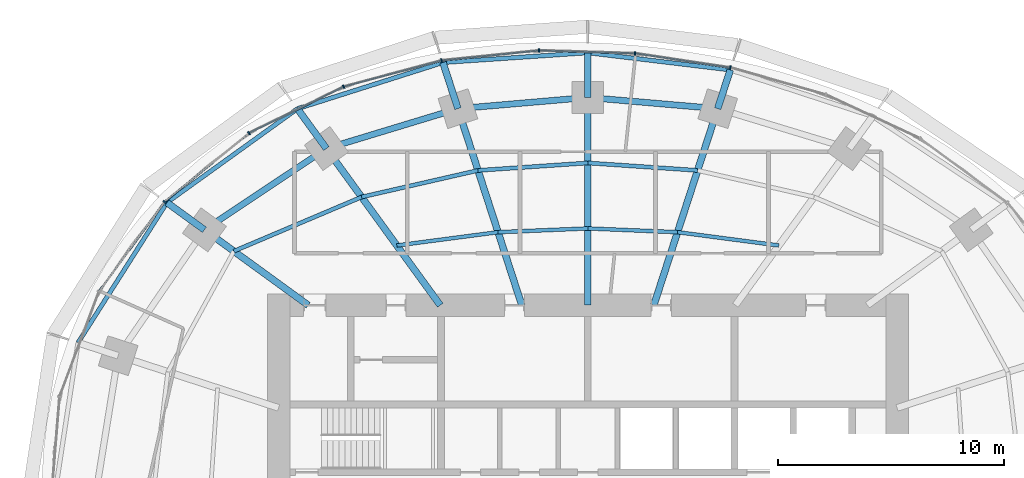
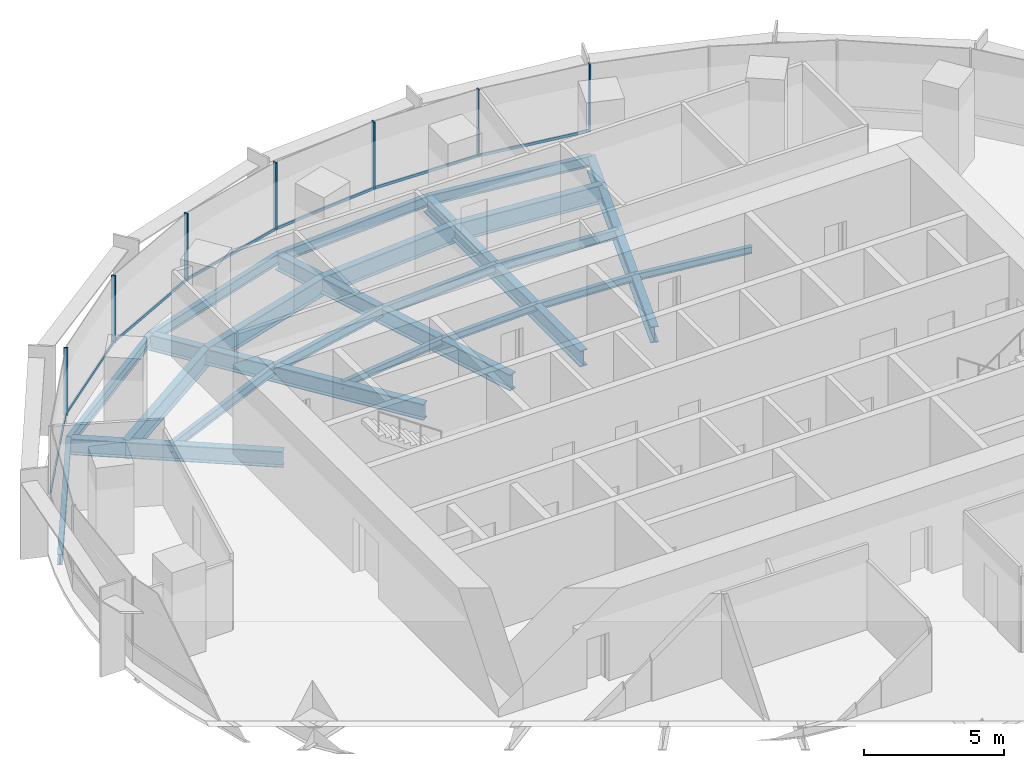
# One storey, part 7 of 14: 27 beams, 14 members, 2 elements without a shape of their own.
"""IFC4 building model written with IfcOpenShell, lengths in metres."""

from ifc_helpers import new_model, si_unit, direction, frame, origin, origin_2d, place, context, subcontext, project, spatial, rectangle, i_section, extrude, material, material_profile, profile_set, type_object, element, aggregate, save


model = new_model("IFC4")

# Units and contexts
model_context = context("Model", 3, precision=1e-05, world=origin(), true_north=direction((0.0, 1.0)))
body_context = subcontext(model_context, "Body", "Model", "MODEL_VIEW")
ifc_project = project(units=[si_unit("LENGTHUNIT", "METRE"), si_unit("AREAUNIT", "SQUARE_METRE"), si_unit("VOLUMEUNIT", "CUBIC_METRE"), si_unit("PLANEANGLEUNIT", "RADIAN"), si_unit("MASSUNIT", "GRAM", prefix="KILO")], contexts=[model_context])

# Site, building, storey
site_placement = place(None, origin())
site = spatial("IfcSite", under=ifc_project, at=site_placement, CompositionType="ELEMENT")
building_placement = place(site_placement, origin())
building = spatial("IfcBuilding", under=site, at=building_placement, Name="Marramba Exchange Tower", CompositionType="ELEMENT")
storey_placement = place(building_placement, frame((0.0, 0.0, 238.39990234375)))
storey = spatial("IfcBuildingStorey", under=building, at=storey_placement, Name="L58", CompositionType="ELEMENT", Elevation=238.39990234375)

# Beams
ifc_material_1 = material(Name="Steel AS/NZS 3679.2 grade 300", Category="steel")
ifc_material_profile_1 = material_profile(ifc_material_1, i_section(OverallWidth=0.300048828125, OverallDepth=0.699951171875, WebThickness=0.010009765625, FlangeThickness=0.031982421875, at=origin_2d()), Name="700WB173")
ifc_profile_set_1 = profile_set([ifc_material_profile_1], Name="Steel AS/NZS 3679.2 grade 300")
beam_type_1 = type_object("IfcBeamType", Name="Cantilever girder 700WB173", PredefinedType="BEAM", material=ifc_profile_set_1)
beam_1_placement = place(storey_placement, frame((5.75390625, 17.70849609375, -0.510009765625), z_axis=(0.308960771946, 0.951074782232, 0.0), x_axis=(-0.951074782232, 0.308960771946, 0.0)))
element("IfcBeam", 1, at=beam_1_placement, inside=storey, type_object=beam_type_1, Name="Cantilever girder L58 TC05", PredefinedType="BEAM", context=body_context, shape_type="SweptSolid", body=[
    extrude(i_section(OverallWidth=0.300048828125, OverallDepth=0.699951171875, WebThickness=0.010009765625, FlangeThickness=0.031982421875, at=origin_2d()), origin(), (0.0, 0.0, 1.0), 1.806396484375),
])
beam_2_placement = place(storey_placement, frame((0.0, 18.2041015625, -0.510009765625), z_axis=(0.0, 1.0, 0.0), x_axis=(-1.0, 0.0, 0.0)))
element("IfcBeam", 2, at=beam_2_placement, inside=storey, type_object=beam_type_1, Name="Cantilever girder L58 TC06", PredefinedType="BEAM", context=body_context, shape_type="SweptSolid", body=[
    extrude(i_section(OverallWidth=0.300048828125, OverallDepth=0.699951171875, WebThickness=0.010009765625, FlangeThickness=0.031982421875, at=origin_2d()), origin(), (0.0, 0.0, 1.0), 1.982177734375),
])
beam_3_placement = place(storey_placement, frame((-5.75390625, 17.70849609375, -0.510009765625), z_axis=(-0.308998798068, 0.951062428441, 0.0), x_axis=(-0.951062428441, -0.308998798068, 0.0)))
element("IfcBeam", 3, at=beam_3_placement, inside=storey, type_object=beam_type_1, Name="Cantilever girder L58 TC07", PredefinedType="BEAM", context=body_context, shape_type="SweptSolid", body=[
    extrude(i_section(OverallWidth=0.300048828125, OverallDepth=0.699951171875, WebThickness=0.010009765625, FlangeThickness=0.031982421875, at=origin_2d()), origin(), (0.0, 0.0, 1.0), 2.150634765625),
])
beam_4_placement = place(storey_placement, frame((-11.581298828125, 15.9404296875, -0.510009765625), z_axis=(-0.587832433352, 0.808982713226, 0.0), x_axis=(-0.808982713226, -0.587832433352, 0.0)))
element("IfcBeam", 4, at=beam_4_placement, inside=storey, type_object=beam_type_1, Name="Cantilever girder L58 TC08", PredefinedType="BEAM", context=body_context, shape_type="SweptSolid", body=[
    extrude(i_section(OverallWidth=0.300048828125, OverallDepth=0.699951171875, WebThickness=0.010009765625, FlangeThickness=0.031982421875, at=origin_2d()), origin(), (0.0, 0.0, 1.0), 2.1826171875),
])
beam_5_placement = place(storey_placement, frame((-16.98583984375, 12.3408203125, -0.510009765625), z_axis=(-0.808962446125, 0.587860324192, 0.0), x_axis=(-0.587860324192, -0.808962446125, 0.0)))
element("IfcBeam", 5, at=beam_5_placement, inside=storey, type_object=beam_type_1, Name="Cantilever girder L58 TC09", PredefinedType="BEAM", context=body_context, shape_type="SweptSolid", body=[
    extrude(i_section(OverallWidth=0.300048828125, OverallDepth=0.699951171875, WebThickness=0.010009765625, FlangeThickness=0.031982421875, at=origin_2d()), origin(), (0.0, 0.0, 1.0), 2.051513671875),
])
ifc_material_2 = material(Name="Steel AS/NZS 3679.1 grade 300", Category="steel")
ifc_material_profile_2 = material_profile(ifc_material_2, i_section(OverallWidth=0.166015625, OverallDepth=0.306884765625, WebThickness=0.006591796875, FlangeThickness=0.01171875, FilletRadius=0.011474609375, at=origin_2d()), Name="310UB46.2")
ifc_profile_set_2 = profile_set([ifc_material_profile_2], Name="Steel AS/NZS 3679.1 grade 300")
beam_type_2 = type_object("IfcBeamType", Name="Floor joist 310UB46.2", PredefinedType="JOIST", material=ifc_profile_set_2)
beam_6_placement = place(storey_placement, frame((8.4619140625, 11.646728515625, -0.3134765625), z_axis=(-0.991480538255, 0.130254912618, 0.0), x_axis=(-0.130254912618, -0.991480538255, 0.0)))
element("IfcBeam", 6, at=beam_6_placement, inside=storey, type_object=beam_type_2, Name="Joist L58 bay 04 row 1", PredefinedType="JOIST", context=body_context, shape_type="SweptSolid", body=[
    extrude(i_section(OverallWidth=0.166015625, OverallDepth=0.306884765625, WebThickness=0.006591796875, FlangeThickness=0.01171875, FilletRadius=0.011474609375, at=origin_2d()), origin(), (0.0, 0.0, 1.0), 4.524658203125),
])
for number, where, z_axis, x_axis, name in (
    (7, (3.975830078125, 12.236083984375, -0.3134765625), (-0.999137002892, 0.041536122257, 0.0), (-0.041536122257, -0.999137002892, 0.0), "Joist L58 bay 05 row 1"),
    (8, (0.0, 12.4013671875, -0.3134765625), (-0.999137002892, -0.041536122257, 0.0), (0.041536122257, -0.999137002892, 0.0), "Joist L58 bay 06 row 1"),
):
    element("IfcBeam", number, at=place(storey_placement, frame(where, z_axis=z_axis, x_axis=x_axis)), inside=storey, type_object=beam_type_2, Name=name, PredefinedType="JOIST", context=body_context, shape_type="SweptSolid", body=[
        extrude(i_section(OverallWidth=0.166015625, OverallDepth=0.306884765625, WebThickness=0.006591796875, FlangeThickness=0.01171875, FilletRadius=0.011474609375, at=origin_2d()), origin(), (0.0, 0.0, 1.0), 3.979248046875),
    ])
beam_7_placement = place(storey_placement, frame((-3.975830078125, 12.236083984375, -0.3134765625), z_axis=(-0.991480538255, -0.130254912618, 0.0), x_axis=(0.130254912618, -0.991480538255, 0.0)))
element("IfcBeam", 9, at=beam_7_placement, inside=storey, type_object=beam_type_2, Name="Joist L58 bay 07 row 1", PredefinedType="JOIST", context=body_context, shape_type="SweptSolid", body=[
    extrude(i_section(OverallWidth=0.166015625, OverallDepth=0.306884765625, WebThickness=0.006591796875, FlangeThickness=0.01171875, FilletRadius=0.011474609375, at=origin_2d()), origin(), (0.0, 0.0, 1.0), 4.524658203125),
])
ifc_material_profile_3 = material_profile(ifc_material_2, i_section(OverallWidth=0.177978515625, OverallDepth=0.406005859375, WebThickness=0.0078125, FlangeThickness=0.0126953125, FilletRadius=0.011474609375, at=origin_2d()), Name="410UB59.7")
ifc_profile_set_3 = profile_set([ifc_material_profile_3], Name="Steel AS/NZS 3679.1 grade 300")
beam_type_3 = type_object("IfcBeamType", Name="Floor joist 410UB59.7", PredefinedType="JOIST", material=ifc_profile_set_3)
for number, where, z_axis, x_axis, name in (
    (10, (4.86474609375, 14.972412109375, -0.36279296875), (-0.997702652202, 0.067745241816, 0.0), (-0.067745241816, -0.997702652202, 0.0), "Joist L58 bay 05 row 2"),
    (11, (0.0, 15.302734375, -0.36279296875), (-0.997702652202, -0.067745241816, 0.0), (0.067745241816, -0.997702652202, 0.0), "Joist L58 bay 06 row 2"),
):
    element("IfcBeam", number, at=place(storey_placement, frame(where, z_axis=z_axis, x_axis=x_axis)), inside=storey, type_object=beam_type_3, Name=name, PredefinedType="JOIST", context=body_context, shape_type="SweptSolid", body=[
        extrude(i_section(OverallWidth=0.177978515625, OverallDepth=0.406005859375, WebThickness=0.0078125, FlangeThickness=0.0126953125, FilletRadius=0.011474609375, at=origin_2d()), origin(), (0.0, 0.0, 1.0), 4.8759765625),
    ])
beam_8_placement = place(storey_placement, frame((-4.86474609375, 14.972412109375, -0.36279296875), z_axis=(-0.974859652292, -0.222819788916, 0.0), x_axis=(0.222819788916, -0.974859652292, 0.0)))
element("IfcBeam", 12, at=beam_8_placement, inside=storey, type_object=beam_type_3, Name="Joist L58 bay 07 row 2", PredefinedType="JOIST", context=body_context, shape_type="SweptSolid", body=[
    extrude(i_section(OverallWidth=0.177978515625, OverallDepth=0.406005859375, WebThickness=0.0078125, FlangeThickness=0.0126953125, FilletRadius=0.011474609375, at=origin_2d()), origin(), (0.0, 0.0, 1.0), 5.2900390625),
])
beam_9_placement = place(storey_placement, frame((-10.021728515625, 13.793701171875, -0.36279296875), z_axis=(-0.920674336375, -0.390331610738, 0.0), x_axis=(0.390331610738, -0.920674336375, 0.0)))
element("IfcBeam", 13, at=beam_9_placement, inside=storey, type_object=beam_type_3, Name="Joist L58 bay 08 row 2", PredefinedType="JOIST", context=body_context, shape_type="SweptSolid", body=[
    extrude(i_section(OverallWidth=0.177978515625, OverallDepth=0.406005859375, WebThickness=0.0078125, FlangeThickness=0.0126953125, FilletRadius=0.011474609375, at=origin_2d()), origin(), (0.0, 0.0, 1.0), 6.1484375),
])

# Curtain wall, members
ifc_material_3 = material(Name="Aluminium framing, bronze anodised", Category="aluminium")
curtain_wall_type = type_object("IfcCurtainWallType", Name="Office ribbon curtain wall", PredefinedType="USERDEFINED", material=ifc_material_3)
curtain_wall_1_placement = place(storey_placement, origin())
curtain_wall_1 = element("IfcCurtainWall", 14, at=curtain_wall_1_placement, inside=storey, type_object=curtain_wall_type, Name="Curtain wall CW4 L58 F06-F10", ObjectType="RIBBON CURTAIN WALL", PredefinedType="USERDEFINED")
ifc_material_4 = material(Name="Aluminium mullion, bronze anodised", Category="aluminium")
ifc_material_profile_4 = material_profile(ifc_material_4, rectangle(XDim=0.159912109375, YDim=0.06005859375, at=origin_2d()), Name="CW4 mullion 60x160")
ifc_profile_set_4 = profile_set([ifc_material_profile_4], Name="Aluminium mullion, bronze anodised")
member_type_1 = type_object("IfcMemberType", Name="Office ribbon curtain wall mullion", PredefinedType="MULLION", material=ifc_profile_set_4)
member_1_placement = place(storey_placement, frame((6.313232421875, 19.526123046875, 0.800048828125), z_axis=(0.0, 0.0, 1.0), x_axis=(-0.148794988635, -0.988868065698, 0.0)))
member_1 = element("IfcMember", 15, at=member_1_placement, type_object=member_type_1, Name="CW4 mullion 1", PredefinedType="MULLION", context=body_context, shape_type="SweptSolid", body=[
    extrude(rectangle(XDim=0.159912109375, YDim=0.06005859375, at=origin_2d()), origin(), (0.0, 0.0, 1.0), 2.93994140625),
])
member_2_placement = place(storey_placement, frame((2.088623046875, 20.158203125, 0.800048828125), z_axis=(0.0, 0.0, 1.0), x_axis=(-0.03039385249, -0.999538000143, 0.0)))
member_2 = element("IfcMember", 16, at=member_2_placement, type_object=member_type_1, Name="CW4 mullion 1", PredefinedType="MULLION", context=body_context, shape_type="SweptSolid", body=[
    extrude(rectangle(XDim=0.159912109375, YDim=0.06005859375, at=origin_2d()), origin(), (0.0, 0.0, 1.0), 2.93994140625),
])
member_3_placement = place(storey_placement, frame((-2.162109375, 20.28369140625, 0.800048828125), z_axis=(0.0, 0.0, 1.0), x_axis=(0.100862673507, -0.994900357369, 0.0)))
member_3 = element("IfcMember", 17, at=member_3_placement, type_object=member_type_1, Name="CW4 mullion 1", PredefinedType="MULLION", context=body_context, shape_type="SweptSolid", body=[
    extrude(rectangle(XDim=0.159912109375, YDim=0.06005859375, at=origin_2d()), origin(), (0.0, 0.0, 1.0), 2.93994140625),
])
member_4_placement = place(storey_placement, frame((-6.478271484375, 19.84130859375, 0.800048828125), z_axis=(0.0, 0.0, 1.0), x_axis=(0.257641223778, -0.966240653155, 0.0)))
member_4 = element("IfcMember", 18, at=member_4_placement, type_object=member_type_1, Name="CW4 mullion 1", PredefinedType="MULLION", context=body_context, shape_type="SweptSolid", body=[
    extrude(rectangle(XDim=0.159912109375, YDim=0.06005859375, at=origin_2d()), origin(), (0.0, 0.0, 1.0), 2.93994140625),
])

curtain_wall_2_placement = place(storey_placement, origin())
curtain_wall_2 = element("IfcCurtainWall", 19, at=curtain_wall_2_placement, inside=storey, type_object=curtain_wall_type, Name="Curtain wall CW4 L58 F11-F15", ObjectType="RIBBON CURTAIN WALL", PredefinedType="USERDEFINED")
member_5_placement = place(storey_placement, frame((-10.818359375, 18.677978515625, 0.800048828125), z_axis=(0.0, 0.0, 1.0), x_axis=(0.438972456661, -0.898500518805, 0.0)))
member_5 = element("IfcMember", 20, at=member_5_placement, type_object=member_type_1, Name="CW4 mullion 1", PredefinedType="MULLION", context=body_context, shape_type="SweptSolid", body=[
    extrude(rectangle(XDim=0.159912109375, YDim=0.06005859375, at=origin_2d()), origin(), (0.0, 0.0, 1.0), 2.93994140625),
])
member_6_placement = place(storey_placement, frame((-15.008056640625, 16.62353515625, 0.800048828125), z_axis=(0.0, 0.0, 1.0), x_axis=(0.630200830464, -0.776432169145, 0.0)))
member_6 = element("IfcMember", 21, at=member_6_placement, type_object=member_type_1, Name="CW4 mullion 1", PredefinedType="MULLION", context=body_context, shape_type="SweptSolid", body=[
    extrude(rectangle(XDim=0.159912109375, YDim=0.06005859375, at=origin_2d()), origin(), (0.0, 0.0, 1.0), 2.93994140625),
])
member_7_placement = place(storey_placement, frame((-18.744140625, 13.581298828125, 0.800048828125), z_axis=(0.0, 0.0, 1.0), x_axis=(0.805965197024, -0.591962922138, 0.0)))
member_7 = element("IfcMember", 22, at=member_7_placement, type_object=member_type_1, Name="CW4 mullion 1", PredefinedType="MULLION", context=body_context, shape_type="SweptSolid", body=[
    extrude(rectangle(XDim=0.159912109375, YDim=0.06005859375, at=origin_2d()), origin(), (0.0, 0.0, 1.0), 2.93994140625),
])

# Member
ifc_material_5 = material(Name="Aluminium transom, bronze anodised", Category="aluminium")
ifc_material_profile_5 = material_profile(ifc_material_5, rectangle(XDim=0.06005859375, YDim=0.1201171875, at=origin_2d()), Name="CW4 transom 60x120")
ifc_profile_set_5 = profile_set([ifc_material_profile_5], Name="Aluminium transom, bronze anodised")
member_type_2 = type_object("IfcMemberType", Name="Office ribbon curtain wall transom", PredefinedType="USERDEFINED", material=ifc_profile_set_5)
member_8_placement = place(storey_placement, frame((6.28369140625, 19.53076171875, 0.830078125), z_axis=(-0.988868222508, 0.148793946493, 0.0), x_axis=(-0.148793946493, -0.988868222508, 0.0)))
member_8 = element("IfcMember", 23, at=member_8_placement, type_object=member_type_2, Name="CW4 sill transom", ObjectType="TRANSOM", PredefinedType="USERDEFINED", context=body_context, shape_type="SweptSolid", body=[
    extrude(rectangle(XDim=0.06005859375, YDim=0.1201171875, at=origin_2d()), origin(), (0.0, 0.0, 1.0), 4.2119140625),
])

member_9_placement = place(storey_placement, frame((2.05859375, 20.1591796875, 0.830078125), z_axis=(-0.99953796835, 0.030394898024, 0.0), x_axis=(-0.030394898024, -0.99953796835, 0.0)))
member_9 = element("IfcMember", 24, at=member_9_placement, type_object=member_type_2, Name="CW4 sill transom", ObjectType="TRANSOM", PredefinedType="USERDEFINED", context=body_context, shape_type="SweptSolid", body=[
    extrude(rectangle(XDim=0.06005859375, YDim=0.1201171875, at=origin_2d()), origin(), (0.0, 0.0, 1.0), 4.19287109375),
])

member_10_placement = place(storey_placement, frame((-2.19189453125, 20.280517578125, 0.830078125), z_axis=(-0.99489954864, -0.100870650418, 0.0), x_axis=(0.100870650418, -0.99489954864, 0.0)))
member_10 = element("IfcMember", 25, at=member_10_placement, type_object=member_type_2, Name="CW4 sill transom", ObjectType="TRANSOM", PredefinedType="USERDEFINED", context=body_context, shape_type="SweptSolid", body=[
    extrude(rectangle(XDim=0.06005859375, YDim=0.1201171875, at=origin_2d()), origin(), (0.0, 0.0, 1.0), 4.279052734375),
])

member_11_placement = place(storey_placement, frame((-6.50732421875, 19.83349609375, 0.830078125), z_axis=(-0.966237681407, -0.25765236857, 0.0), x_axis=(0.25765236857, -0.966237681407, 0.0)))
member_11 = element("IfcMember", 26, at=member_11_placement, type_object=member_type_2, Name="CW4 sill transom", ObjectType="TRANSOM", PredefinedType="USERDEFINED", context=body_context, shape_type="SweptSolid", body=[
    extrude(rectangle(XDim=0.06005859375, YDim=0.1201171875, at=origin_2d()), origin(), (0.0, 0.0, 1.0), 4.43359375),
])

aggregate(curtain_wall_1, [member_1, member_8, member_2, member_9, member_3, member_10, member_4, member_11])

member_12_placement = place(storey_placement, frame((-10.84521484375, 18.664794921875, 0.830078125), z_axis=(-0.898501418486, -0.438970615165, 0.0), x_axis=(0.438970615165, -0.898501418486, 0.0)))
member_12 = element("IfcMember", 27, at=member_12_placement, type_object=member_type_2, Name="CW4 sill transom", ObjectType="TRANSOM", PredefinedType="USERDEFINED", context=body_context, shape_type="SweptSolid", body=[
    extrude(rectangle(XDim=0.06005859375, YDim=0.1201171875, at=origin_2d()), origin(), (0.0, 0.0, 1.0), 4.607177734375),
])

member_13_placement = place(storey_placement, frame((-15.031494140625, 16.6044921875, 0.830078125), z_axis=(-0.776424623019, -0.630210127473, 0.0), x_axis=(0.630210127473, -0.776424623019, 0.0)))
member_13 = element("IfcMember", 28, at=member_13_placement, type_object=member_type_2, Name="CW4 sill transom", ObjectType="TRANSOM", PredefinedType="USERDEFINED", context=body_context, shape_type="SweptSolid", body=[
    extrude(rectangle(XDim=0.06005859375, YDim=0.1201171875, at=origin_2d()), origin(), (0.0, 0.0, 1.0), 4.7587890625),
])

member_14_placement = place(storey_placement, frame((-18.761962890625, 13.55712890625, 0.830078125), z_axis=(-0.591957380483, -0.805969267213, 0.0), x_axis=(0.805969267213, -0.591957380483, 0.0)))
member_14 = element("IfcMember", 29, at=member_14_placement, type_object=member_type_2, Name="CW4 sill transom", ObjectType="TRANSOM", PredefinedType="USERDEFINED", context=body_context, shape_type="SweptSolid", body=[
    extrude(rectangle(XDim=0.06005859375, YDim=0.1201171875, at=origin_2d()), origin(), (0.0, 0.0, 1.0), 4.865478515625),
])

aggregate(curtain_wall_2, [member_5, member_12, member_6, member_13, member_7, member_14])

# Beams
ifc_material_profile_6 = material_profile(ifc_material_1, i_section(OverallWidth=0.300048828125, OverallDepth=0.699951171875, WebThickness=0.010009765625, FlangeThickness=0.031982421875, at=origin_2d()), Name="700WB173")
ifc_profile_set_6 = profile_set([ifc_material_profile_6], Name="Steel AS/NZS 3679.2 grade 300")
beam_type_4 = type_object("IfcBeamType", Name="Radial girder 700WB173", PredefinedType="BEAM", material=ifc_profile_set_6)
beam_10_placement = place(storey_placement, frame((2.92431640625, 9.0, -0.510009765625), z_axis=(0.309019754162, 0.951055619582, 0.0), x_axis=(-0.951055619582, 0.309019754162, 0.0)))
element("IfcBeam", 30, at=beam_10_placement, inside=storey, type_object=beam_type_4, Name="Radial girder L58 TC05", PredefinedType="BEAM", context=body_context, shape_type="SweptSolid", body=[
    extrude(i_section(OverallWidth=0.300048828125, OverallDepth=0.699951171875, WebThickness=0.010009765625, FlangeThickness=0.031982421875, at=origin_2d()), origin(), (0.0, 0.0, 1.0), 9.15673828125),
])
beam_11_placement = place(storey_placement, frame((0.0, 9.0, -0.510009765625), z_axis=(0.0, 1.0, 0.0), x_axis=(-1.0, 0.0, 0.0)))
element("IfcBeam", 31, at=beam_11_placement, inside=storey, type_object=beam_type_4, Name="Radial girder L58 TC06", PredefinedType="BEAM", context=body_context, shape_type="SweptSolid", body=[
    extrude(i_section(OverallWidth=0.300048828125, OverallDepth=0.699951171875, WebThickness=0.010009765625, FlangeThickness=0.031982421875, at=origin_2d()), origin(), (0.0, 0.0, 1.0), 9.2041015625),
])
beam_12_placement = place(storey_placement, frame((-2.92431640625, 9.0, -0.510009765625), z_axis=(-0.309019754162, 0.951055619582, 0.0), x_axis=(-0.951055619582, -0.309019754162, 0.0)))
element("IfcBeam", 32, at=beam_12_placement, inside=storey, type_object=beam_type_4, Name="Radial girder L58 TC07", PredefinedType="BEAM", context=body_context, shape_type="SweptSolid", body=[
    extrude(i_section(OverallWidth=0.300048828125, OverallDepth=0.699951171875, WebThickness=0.010009765625, FlangeThickness=0.031982421875, at=origin_2d()), origin(), (0.0, 0.0, 1.0), 9.15673828125),
])
beam_13_placement = place(storey_placement, frame((-6.538818359375, 9.0, -0.510009765625), z_axis=(-0.587782439969, 0.80901903764, 0.0), x_axis=(-0.80901903764, -0.587782439969, 0.0)))
element("IfcBeam", 33, at=beam_13_placement, inside=storey, type_object=beam_type_4, Name="Radial girder L58 TC08", PredefinedType="BEAM", context=body_context, shape_type="SweptSolid", body=[
    extrude(i_section(OverallWidth=0.300048828125, OverallDepth=0.699951171875, WebThickness=0.010009765625, FlangeThickness=0.031982421875, at=origin_2d()), origin(), (0.0, 0.0, 1.0), 8.578857421875),
])
beam_14_placement = place(storey_placement, frame((-12.387451171875, 9.0, -0.510009765625), z_axis=(-0.809025746925, 0.587773205252, 0.0), x_axis=(-0.587773205252, -0.809025746925, 0.0)))
element("IfcBeam", 34, at=beam_14_placement, inside=storey, type_object=beam_type_4, Name="Radial girder L58 TC09", PredefinedType="BEAM", context=body_context, shape_type="SweptSolid", body=[
    extrude(i_section(OverallWidth=0.300048828125, OverallDepth=0.699951171875, WebThickness=0.010009765625, FlangeThickness=0.031982421875, at=origin_2d()), origin(), (0.0, 0.0, 1.0), 5.683837890625),
])
ifc_material_profile_7 = material_profile(ifc_material_1, i_section(OverallWidth=0.27490234375, OverallDepth=0.800048828125, WebThickness=0.010009765625, FlangeThickness=0.02490234375, at=origin_2d()), Name="800WB168")
ifc_profile_set_7 = profile_set([ifc_material_profile_7], Name="Steel AS/NZS 3679.2 grade 300")
beam_type_5 = type_object("IfcBeamType", Name="Ring beam 800WB168", PredefinedType="SPANDREL", material=ifc_profile_set_7)
for number, where, z_axis, x_axis, name in (
    (35, (5.75390625, 17.70849609375, -0.559814453125), (-0.996311003275, 0.085815993578, 0.0), (-0.085815993578, -0.996311003275, 0.0), "Ring beam L58 TC05-TC06"),
    (36, (0.0, 18.2041015625, -0.559814453125), (-0.996311003275, -0.085815993578, 0.0), (0.085815993578, -0.996311003275, 0.0), "Ring beam L58 TC06-TC07"),
):
    element("IfcBeam", number, at=place(storey_placement, frame(where, z_axis=z_axis, x_axis=x_axis)), inside=storey, type_object=beam_type_5, Name=name, PredefinedType="SPANDREL", context=body_context, shape_type="SweptSolid", body=[
        extrude(i_section(OverallWidth=0.27490234375, OverallDepth=0.800048828125, WebThickness=0.010009765625, FlangeThickness=0.02490234375, at=origin_2d()), origin(), (0.0, 0.0, 1.0), 5.775146484375),
    ])
beam_15_placement = place(storey_placement, frame((-5.75390625, 17.70849609375, -0.559814453125), z_axis=(-0.956924542524, -0.290336735387, 0.0), x_axis=(0.290336735387, -0.956924542524, 0.0)))
element("IfcBeam", 37, at=beam_15_placement, inside=storey, type_object=beam_type_5, Name="Ring beam L58 TC07-TC08", PredefinedType="SPANDREL", context=body_context, shape_type="SweptSolid", body=[
    extrude(i_section(OverallWidth=0.27490234375, OverallDepth=0.800048828125, WebThickness=0.010009765625, FlangeThickness=0.02490234375, at=origin_2d()), origin(), (0.0, 0.0, 1.0), 6.089599609375),
])
beam_16_placement = place(storey_placement, frame((-11.581298828125, 15.9404296875, -0.559814453125), z_axis=(-0.832293151443, -0.554335737673, 0.0), x_axis=(0.554335737673, -0.832293151443, 0.0)))
element("IfcBeam", 38, at=beam_16_placement, inside=storey, type_object=beam_type_5, Name="Ring beam L58 TC08-TC09", PredefinedType="SPANDREL", context=body_context, shape_type="SweptSolid", body=[
    extrude(i_section(OverallWidth=0.27490234375, OverallDepth=0.800048828125, WebThickness=0.010009765625, FlangeThickness=0.02490234375, at=origin_2d()), origin(), (0.0, 0.0, 1.0), 6.49365234375),
])
ifc_material_profile_8 = material_profile(ifc_material_2, i_section(OverallWidth=0.19091796875, OverallDepth=0.4599609375, WebThickness=0.010009765625, FlangeThickness=0.01611328125, FilletRadius=0.011474609375, at=origin_2d()), Name="460UB82.1")
ifc_profile_set_8 = profile_set([ifc_material_profile_8], Name="Steel AS/NZS 3679.1 grade 300")
beam_type_6 = type_object("IfcBeamType", Name="Slab edge beam 460UB82.1", PredefinedType="SPANDREL", material=ifc_profile_set_8)
beam_17_placement = place(storey_placement, frame((6.31201171875, 19.426513671875, -0.389892578125), z_axis=(-0.992833525914, 0.119505605811, 0.0), x_axis=(-0.119505605811, -0.992833525914, 0.0)))
element("IfcBeam", 39, at=beam_17_placement, inside=storey, type_object=beam_type_6, Name="Slab edge beam L58 TC05-TC06", PredefinedType="SPANDREL", context=body_context, shape_type="SweptSolid", body=[
    extrude(i_section(OverallWidth=0.19091796875, OverallDepth=0.4599609375, WebThickness=0.010009765625, FlangeThickness=0.01611328125, FilletRadius=0.011474609375, at=origin_2d()), origin(), (0.0, 0.0, 1.0), 6.357666015625),
])
beam_18_placement = place(storey_placement, frame((0.0, 20.186279296875, -0.389892578125), z_axis=(-0.997738737775, -0.06721168903, 0.0), x_axis=(0.06721168903, -0.997738737775, 0.0)))
element("IfcBeam", 40, at=beam_18_placement, inside=storey, type_object=beam_type_6, Name="Slab edge beam L58 TC06-TC07", PredefinedType="SPANDREL", context=body_context, shape_type="SweptSolid", body=[
    extrude(i_section(OverallWidth=0.19091796875, OverallDepth=0.4599609375, WebThickness=0.010009765625, FlangeThickness=0.01611328125, FilletRadius=0.011474609375, at=origin_2d()), origin(), (0.0, 0.0, 1.0), 6.43310546875),
])
beam_19_placement = place(storey_placement, frame((-6.41845703125, 19.75390625, -0.389892578125), z_axis=(-0.953057484675, -0.302789416766, 0.0), x_axis=(0.302789416766, -0.953057484675, 0.0)))
element("IfcBeam", 41, at=beam_19_placement, inside=storey, type_object=beam_type_6, Name="Slab edge beam L58 TC07-TC08", PredefinedType="SPANDREL", context=body_context, shape_type="SweptSolid", body=[
    extrude(i_section(OverallWidth=0.19091796875, OverallDepth=0.4599609375, WebThickness=0.010009765625, FlangeThickness=0.01611328125, FilletRadius=0.011474609375, at=origin_2d()), origin(), (0.0, 0.0, 1.0), 6.76318359375),
])
beam_20_placement = place(storey_placement, frame((-12.8642578125, 17.7060546875, -0.389892578125), z_axis=(-0.811755352788, -0.583997643163, 0.0), x_axis=(0.583997643163, -0.811755352788, 0.0)))
element("IfcBeam", 42, at=beam_20_placement, inside=storey, type_object=beam_type_6, Name="Slab edge beam L58 TC08-TC09", PredefinedType="SPANDREL", context=body_context, shape_type="SweptSolid", body=[
    extrude(i_section(OverallWidth=0.19091796875, OverallDepth=0.4599609375, WebThickness=0.010009765625, FlangeThickness=0.01611328125, FilletRadius=0.011474609375, at=origin_2d()), origin(), (0.0, 0.0, 1.0), 7.121826171875),
])
beam_21_placement = place(storey_placement, frame((-18.6455078125, 13.546875, -0.389892578125), z_axis=(-0.535794396634, -0.844348485245, 0.0), x_axis=(0.844348485245, -0.535794396634, 0.0)))
element("IfcBeam", 43, at=beam_21_placement, inside=storey, type_object=beam_type_6, Name="Slab edge beam L58 TC09-TC10", PredefinedType="SPANDREL", context=body_context, shape_type="SweptSolid", body=[
    extrude(i_section(OverallWidth=0.19091796875, OverallDepth=0.4599609375, WebThickness=0.010009765625, FlangeThickness=0.01611328125, FilletRadius=0.011474609375, at=origin_2d()), origin(), (0.0, 0.0, 1.0), 7.35302734375),
])

save(model, "model.ifc")
